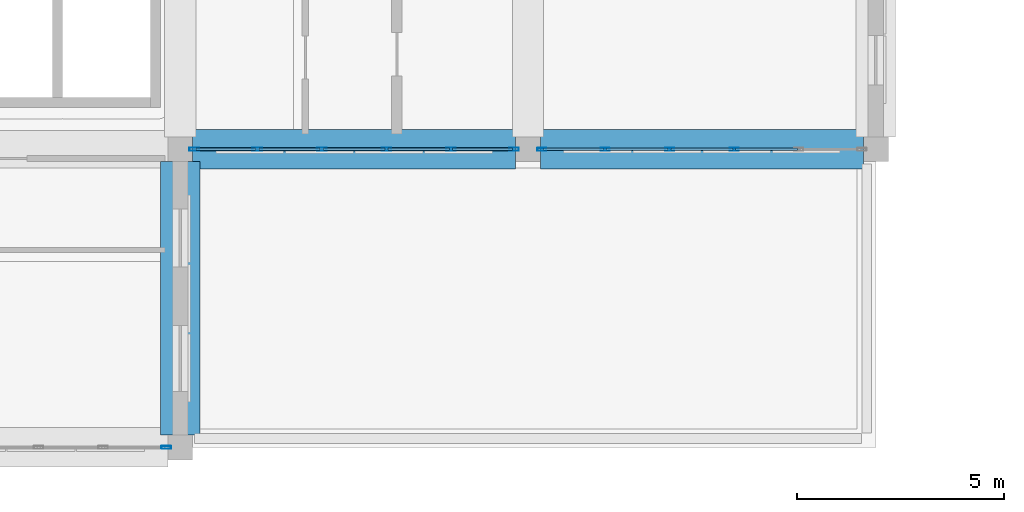
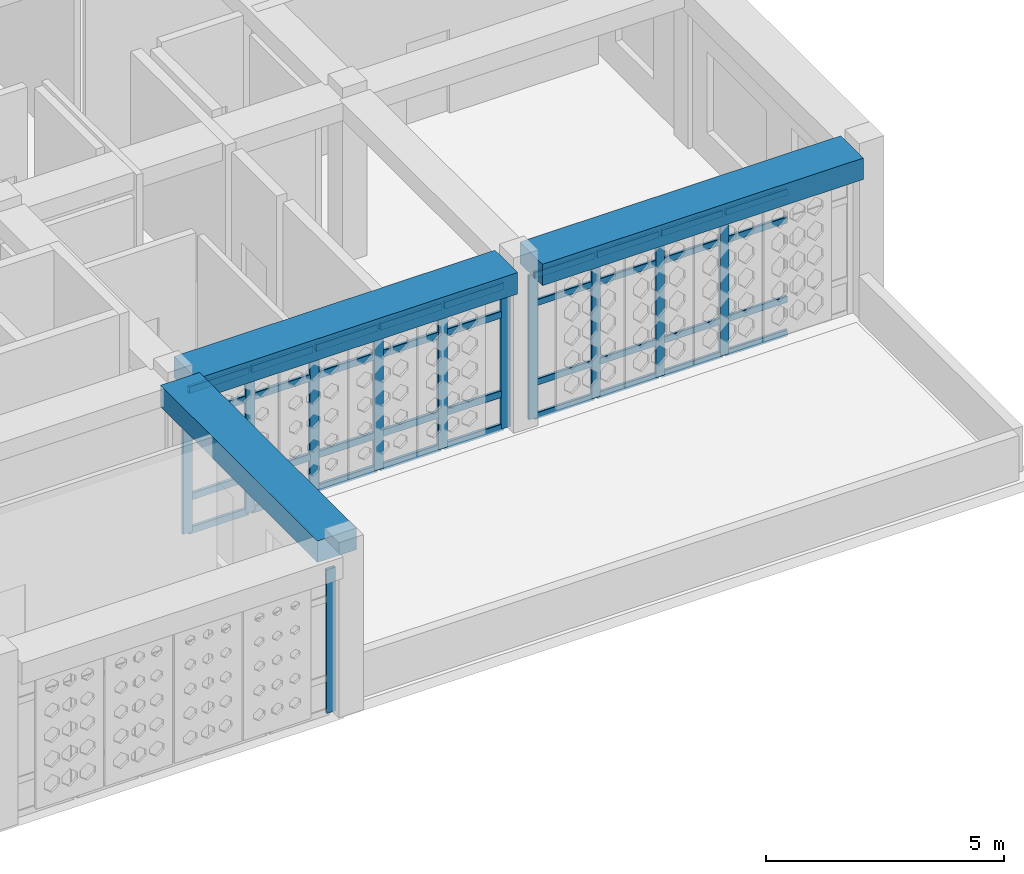
# One storey, part 6 of 28: 47 members, 3 beams, 3 elements without a shape of their own.
"""IFC4 building model written with IfcOpenShell, lengths in metres."""

from ifc_helpers import new_model, si_unit, derived_unit, direction, frame, origin, origin_2d, place, context, subcontext, project, spatial, rectangle, hollow_rectangle, extrude, material, material_profile, profile_set, type_object, element, aggregate, save


model = new_model("IFC4")

# Units and contexts
model_context = context("Model", 3, precision=1e-05, world=origin(), true_north=direction((0.0, 1.0)))
body_context = subcontext(model_context, "Body", "Model", "MODEL_VIEW")
ifc_project = project(units=[si_unit("LENGTHUNIT", "METRE"), si_unit("AREAUNIT", "SQUARE_METRE"), si_unit("VOLUMEUNIT", "CUBIC_METRE"), si_unit("PLANEANGLEUNIT", "RADIAN"), si_unit("MASSUNIT", "GRAM", prefix="KILO"), derived_unit("THERMALTRANSMITTANCEUNIT", [(si_unit("POWERUNIT", "WATT"), 1), (si_unit("LENGTHUNIT", "METRE"), -2), (si_unit("THERMODYNAMICTEMPERATUREUNIT", "KELVIN"), -1)])], contexts=[model_context])

# Site, building, storey
site_placement = place(None, origin())
site = spatial("IfcSite", under=ifc_project, at=site_placement, CompositionType="ELEMENT")
building_placement = place(site_placement, origin())
building = spatial("IfcBuilding", under=site, at=building_placement, Name="Veybourne Emporium", CompositionType="ELEMENT")
storey_placement = place(building_placement, frame((0.0, 0.0, 32.10009765625)))
storey = spatial("IfcBuildingStorey", under=building, at=storey_placement, Name="L07", CompositionType="ELEMENT", Elevation=32.10009765625)

# Curtain wall, member
ifc_material_1 = material(Name="Patinated Architectural Bronze", Category="bronze")
curtain_wall_type_1 = type_object("IfcCurtainWallType", Name="CWSystem_CWS-22", PredefinedType="NOTDEFINED", material=ifc_material_1)
curtain_wall_1_placement = place(storey_placement, origin())
curtain_wall_1 = element("IfcCurtainWall", 1, at=curtain_wall_1_placement, inside=storey, type_object=curtain_wall_type_1, Name="L07 bronze glazed curtain wall CWS-22 (011)", PredefinedType="NOTDEFINED")
ifc_material_profile_1 = material_profile(ifc_material_1, hollow_rectangle(XDim=0.074951171875, YDim=0.22998046875, WallThickness=0.0048828125, InnerFilletRadius=0.007568359375, OuterFilletRadius=0.012451171875, at=origin_2d()), Name="CWM 75x230x5")
ifc_profile_set_1 = profile_set([ifc_material_profile_1], Name="Patinated Architectural Bronze")
member_type_1 = type_object("IfcMemberType", Name="CWMullion_CW-M2", PredefinedType="MULLION", material=ifc_profile_set_1)
member_1_placement = place(storey_placement, frame((33.262451171875, 7.199951171875, 0.0), z_axis=(0.0, 0.0, 1.0), x_axis=(0.0, -1.0, 0.0)))
member_1 = element("IfcMember", 2, at=member_1_placement, type_object=member_type_1, Name="CWS-22 mullion 1", PredefinedType="MULLION", context=body_context, shape_type="SweptSolid", body=[
    extrude(hollow_rectangle(XDim=0.074951171875, YDim=0.22998046875, WallThickness=0.0048828125, InnerFilletRadius=0.007568359375, OuterFilletRadius=0.012451171875, at=origin_2d()), origin(), (0.0, 0.0, 1.0), 3.68994140625),
])
aggregate(curtain_wall_1, [member_1])

# Curtain wall, members
curtain_wall_type_2 = type_object("IfcCurtainWallType", Name="CWSystem_CWS-23", PredefinedType="NOTDEFINED", material=ifc_material_1)
curtain_wall_2_placement = place(storey_placement, origin())
curtain_wall_2 = element("IfcCurtainWall", 3, at=curtain_wall_2_placement, inside=storey, type_object=curtain_wall_type_2, Name="L07 bronze glazed curtain wall CWS-23 (014)", PredefinedType="NOTDEFINED")
ifc_material_profile_2 = material_profile(ifc_material_1, hollow_rectangle(XDim=0.077880859375, YDim=0.235107421875, WallThickness=0.0048828125, InnerFilletRadius=0.007568359375, OuterFilletRadius=0.012451171875, at=origin_2d()), Name="CWM 78x235x5")
ifc_profile_set_2 = profile_set([ifc_material_profile_2], Name="Patinated Architectural Bronze")
member_type_2 = type_object("IfcMemberType", Name="CWMullion_CW-M3", PredefinedType="MULLION", material=ifc_profile_set_2)
member_2_placement = place(storey_placement, frame((41.660888671875, 14.39990234375, 0.0), z_axis=(0.0, 0.0, 1.0), x_axis=(0.0, -1.0, 0.0)))
member_2 = element("IfcMember", 4, at=member_2_placement, type_object=member_type_2, Name="CWS-23 mullion 1", PredefinedType="MULLION", context=body_context, shape_type="SweptSolid", body=[
    extrude(hollow_rectangle(XDim=0.077880859375, YDim=0.235107421875, WallThickness=0.0048828125, InnerFilletRadius=0.007568359375, OuterFilletRadius=0.012451171875, at=origin_2d()), origin(), (0.0, 0.0, 1.0), 3.68994140625),
])
member_3_placement = place(storey_placement, frame((40.139892578125, 14.39990234375, 0.0), z_axis=(0.0, 0.0, 1.0), x_axis=(0.0, -1.0, 0.0)))
member_3 = element("IfcMember", 5, at=member_3_placement, type_object=member_type_2, Name="CWS-23 mullion 2", PredefinedType="MULLION", context=body_context, shape_type="SweptSolid", body=[
    extrude(hollow_rectangle(XDim=0.077880859375, YDim=0.235107421875, WallThickness=0.0048828125, InnerFilletRadius=0.007568359375, OuterFilletRadius=0.012451171875, at=origin_2d()), origin(), (0.0, 0.0, 1.0), 3.68994140625),
])
member_4_placement = place(storey_placement, frame((38.580078125, 14.39990234375, 0.0), z_axis=(0.0, 0.0, 1.0), x_axis=(0.0, -1.0, 0.0)))
member_4 = element("IfcMember", 6, at=member_4_placement, type_object=member_type_2, Name="CWS-23 mullion 3", PredefinedType="MULLION", context=body_context, shape_type="SweptSolid", body=[
    extrude(hollow_rectangle(XDim=0.077880859375, YDim=0.235107421875, WallThickness=0.0048828125, InnerFilletRadius=0.007568359375, OuterFilletRadius=0.012451171875, at=origin_2d()), origin(), (0.0, 0.0, 1.0), 3.68994140625),
])
member_5_placement = place(storey_placement, frame((37.02001953125, 14.39990234375, 0.0), z_axis=(0.0, 0.0, 1.0), x_axis=(0.0, -1.0, 0.0)))
member_5 = element("IfcMember", 7, at=member_5_placement, type_object=member_type_2, Name="CWS-23 mullion 4", PredefinedType="MULLION", context=body_context, shape_type="SweptSolid", body=[
    extrude(hollow_rectangle(XDim=0.077880859375, YDim=0.235107421875, WallThickness=0.0048828125, InnerFilletRadius=0.007568359375, OuterFilletRadius=0.012451171875, at=origin_2d()), origin(), (0.0, 0.0, 1.0), 3.68994140625),
])
member_6_placement = place(storey_placement, frame((35.4599609375, 14.39990234375, 0.0), z_axis=(0.0, 0.0, 1.0), x_axis=(0.0, -1.0, 0.0)))
member_6 = element("IfcMember", 8, at=member_6_placement, type_object=member_type_2, Name="CWS-23 mullion 5", PredefinedType="MULLION", context=body_context, shape_type="SweptSolid", body=[
    extrude(hollow_rectangle(XDim=0.077880859375, YDim=0.235107421875, WallThickness=0.0048828125, InnerFilletRadius=0.007568359375, OuterFilletRadius=0.012451171875, at=origin_2d()), origin(), (0.0, 0.0, 1.0), 3.68994140625),
])
member_7_placement = place(storey_placement, frame((33.93896484375, 14.39990234375, 0.0), z_axis=(0.0, 0.0, 1.0), x_axis=(0.0, -1.0, 0.0)))
member_7 = element("IfcMember", 9, at=member_7_placement, type_object=member_type_2, Name="CWS-23 mullion 6", PredefinedType="MULLION", context=body_context, shape_type="SweptSolid", body=[
    extrude(hollow_rectangle(XDim=0.077880859375, YDim=0.235107421875, WallThickness=0.0048828125, InnerFilletRadius=0.007568359375, OuterFilletRadius=0.012451171875, at=origin_2d()), origin(), (0.0, 0.0, 1.0), 3.68994140625),
])

curtain_wall_type_3 = type_object("IfcCurtainWallType", Name="CWSystem_CWS-24", PredefinedType="NOTDEFINED", material=ifc_material_1)
curtain_wall_3_placement = place(storey_placement, origin())
curtain_wall_3 = element("IfcCurtainWall", 10, at=curtain_wall_3_placement, inside=storey, type_object=curtain_wall_type_3, Name="L07 bronze glazed curtain wall CWS-24 (016)", PredefinedType="NOTDEFINED")
ifc_material_profile_3 = material_profile(ifc_material_1, hollow_rectangle(XDim=0.070068359375, YDim=0.219970703125, WallThickness=0.0048828125, InnerFilletRadius=0.007568359375, OuterFilletRadius=0.012451171875, at=origin_2d()), Name="CWM 70x220x5")
ifc_profile_set_3 = profile_set([ifc_material_profile_3], Name="Patinated Architectural Bronze")
member_type_3 = type_object("IfcMemberType", Name="CWMullion_CW-M4", PredefinedType="MULLION", material=ifc_profile_set_3)
member_8_placement = place(storey_placement, frame((46.97998046875, 14.39990234375, 0.0), z_axis=(0.0, 0.0, 1.0), x_axis=(0.0, -1.0, 0.0)))
member_8 = element("IfcMember", 11, at=member_8_placement, type_object=member_type_3, Name="CWS-24 mullion 3", PredefinedType="MULLION", context=body_context, shape_type="SweptSolid", body=[
    extrude(hollow_rectangle(XDim=0.070068359375, YDim=0.219970703125, WallThickness=0.0048828125, InnerFilletRadius=0.007568359375, OuterFilletRadius=0.012451171875, at=origin_2d()), origin(), (0.0, 0.0, 1.0), 3.68994140625),
])
member_9_placement = place(storey_placement, frame((45.419921875, 14.39990234375, 0.0), z_axis=(0.0, 0.0, 1.0), x_axis=(0.0, -1.0, 0.0)))
member_9 = element("IfcMember", 12, at=member_9_placement, type_object=member_type_3, Name="CWS-24 mullion 4", PredefinedType="MULLION", context=body_context, shape_type="SweptSolid", body=[
    extrude(hollow_rectangle(XDim=0.070068359375, YDim=0.219970703125, WallThickness=0.0048828125, InnerFilletRadius=0.007568359375, OuterFilletRadius=0.012451171875, at=origin_2d()), origin(), (0.0, 0.0, 1.0), 3.68994140625),
])
member_10_placement = place(storey_placement, frame((43.860107421875, 14.39990234375, 0.0), z_axis=(0.0, 0.0, 1.0), x_axis=(0.0, -1.0, 0.0)))
member_10 = element("IfcMember", 13, at=member_10_placement, type_object=member_type_3, Name="CWS-24 mullion 5", PredefinedType="MULLION", context=body_context, shape_type="SweptSolid", body=[
    extrude(hollow_rectangle(XDim=0.070068359375, YDim=0.219970703125, WallThickness=0.0048828125, InnerFilletRadius=0.007568359375, OuterFilletRadius=0.012451171875, at=origin_2d()), origin(), (0.0, 0.0, 1.0), 3.68994140625),
])
member_11_placement = place(storey_placement, frame((42.3349609375, 14.39990234375, 0.0), z_axis=(0.0, 0.0, 1.0), x_axis=(0.0, -1.0, 0.0)))
member_11 = element("IfcMember", 14, at=member_11_placement, type_object=member_type_3, Name="CWS-24 mullion 6", PredefinedType="MULLION", context=body_context, shape_type="SweptSolid", body=[
    extrude(hollow_rectangle(XDim=0.070068359375, YDim=0.219970703125, WallThickness=0.0048828125, InnerFilletRadius=0.007568359375, OuterFilletRadius=0.012451171875, at=origin_2d()), origin(), (0.0, 0.0, 1.0), 3.68994140625),
])

# Member
ifc_material_profile_4 = material_profile(ifc_material_1, hollow_rectangle(XDim=0.077880859375, YDim=0.18505859375, WallThickness=0.0048828125, InnerFilletRadius=0.007568359375, OuterFilletRadius=0.012451171875, at=origin_2d()), Name="CWT 78x185x5")
ifc_profile_set_4 = profile_set([ifc_material_profile_4], Name="Patinated Architectural Bronze")
member_type_4 = type_object("IfcMemberType", Name="CWTransom_CW-T3", PredefinedType="NOTDEFINED", material=ifc_profile_set_4)
member_12_placement = place(storey_placement, frame((41.6220703125, 14.39990234375, 0.038818359375), z_axis=(-1.0, 0.0, 0.0), x_axis=(0.0, -1.0, 0.0)))
member_12 = element("IfcMember", 15, at=member_12_placement, type_object=member_type_4, Name="CWS-23 transom 1.1", ObjectType="TRANSOM", PredefinedType="USERDEFINED", context=body_context, shape_type="SweptSolid", body=[
    extrude(hollow_rectangle(XDim=0.077880859375, YDim=0.18505859375, WallThickness=0.0048828125, InnerFilletRadius=0.007568359375, OuterFilletRadius=0.012451171875, at=origin_2d()), origin(), (0.0, 0.0, 1.0), 1.443115234375),
])

member_13_placement = place(storey_placement, frame((41.6220703125, 14.39990234375, 0.89990234375), z_axis=(-1.0, 0.0, 0.0), x_axis=(0.0, -1.0, 0.0)))
member_13 = element("IfcMember", 16, at=member_13_placement, type_object=member_type_4, Name="CWS-23 transom 1.2", ObjectType="TRANSOM", PredefinedType="USERDEFINED", context=body_context, shape_type="SweptSolid", body=[
    extrude(hollow_rectangle(XDim=0.077880859375, YDim=0.18505859375, WallThickness=0.0048828125, InnerFilletRadius=0.007568359375, OuterFilletRadius=0.012451171875, at=origin_2d()), origin(), (0.0, 0.0, 1.0), 1.443115234375),
])

member_14_placement = place(storey_placement, frame((41.6220703125, 14.39990234375, 2.93994140625), z_axis=(-1.0, 0.0, 0.0), x_axis=(0.0, -1.0, 0.0)))
member_14 = element("IfcMember", 17, at=member_14_placement, type_object=member_type_4, Name="CWS-23 transom 1.3", ObjectType="TRANSOM", PredefinedType="USERDEFINED", context=body_context, shape_type="SweptSolid", body=[
    extrude(hollow_rectangle(XDim=0.077880859375, YDim=0.18505859375, WallThickness=0.0048828125, InnerFilletRadius=0.007568359375, OuterFilletRadius=0.012451171875, at=origin_2d()), origin(), (0.0, 0.0, 1.0), 1.443115234375),
])

member_15_placement = place(storey_placement, frame((41.6220703125, 14.39990234375, 3.65087890625), z_axis=(-1.0, 0.0, 0.0), x_axis=(0.0, -1.0, 0.0)))
member_15 = element("IfcMember", 18, at=member_15_placement, type_object=member_type_4, Name="CWS-23 transom 1.4", ObjectType="TRANSOM", PredefinedType="USERDEFINED", context=body_context, shape_type="SweptSolid", body=[
    extrude(hollow_rectangle(XDim=0.077880859375, YDim=0.18505859375, WallThickness=0.0048828125, InnerFilletRadius=0.007568359375, OuterFilletRadius=0.012451171875, at=origin_2d()), origin(), (0.0, 0.0, 1.0), 1.443115234375),
])

member_16_placement = place(storey_placement, frame((40.10107421875, 14.39990234375, 0.038818359375), z_axis=(-1.0, 0.0, 0.0), x_axis=(0.0, -1.0, 0.0)))
member_16 = element("IfcMember", 19, at=member_16_placement, type_object=member_type_4, Name="CWS-23 transom 2.1", ObjectType="TRANSOM", PredefinedType="USERDEFINED", context=body_context, shape_type="SweptSolid", body=[
    extrude(hollow_rectangle(XDim=0.077880859375, YDim=0.18505859375, WallThickness=0.0048828125, InnerFilletRadius=0.007568359375, OuterFilletRadius=0.012451171875, at=origin_2d()), origin(), (0.0, 0.0, 1.0), 1.482177734375),
])

member_17_placement = place(storey_placement, frame((40.10107421875, 14.39990234375, 0.89990234375), z_axis=(-1.0, 0.0, 0.0), x_axis=(0.0, -1.0, 0.0)))
member_17 = element("IfcMember", 20, at=member_17_placement, type_object=member_type_4, Name="CWS-23 transom 2.2", ObjectType="TRANSOM", PredefinedType="USERDEFINED", context=body_context, shape_type="SweptSolid", body=[
    extrude(hollow_rectangle(XDim=0.077880859375, YDim=0.18505859375, WallThickness=0.0048828125, InnerFilletRadius=0.007568359375, OuterFilletRadius=0.012451171875, at=origin_2d()), origin(), (0.0, 0.0, 1.0), 1.482177734375),
])

member_18_placement = place(storey_placement, frame((40.10107421875, 14.39990234375, 2.93994140625), z_axis=(-1.0, 0.0, 0.0), x_axis=(0.0, -1.0, 0.0)))
member_18 = element("IfcMember", 21, at=member_18_placement, type_object=member_type_4, Name="CWS-23 transom 2.3", ObjectType="TRANSOM", PredefinedType="USERDEFINED", context=body_context, shape_type="SweptSolid", body=[
    extrude(hollow_rectangle(XDim=0.077880859375, YDim=0.18505859375, WallThickness=0.0048828125, InnerFilletRadius=0.007568359375, OuterFilletRadius=0.012451171875, at=origin_2d()), origin(), (0.0, 0.0, 1.0), 1.482177734375),
])

member_19_placement = place(storey_placement, frame((40.10107421875, 14.39990234375, 3.65087890625), z_axis=(-1.0, 0.0, 0.0), x_axis=(0.0, -1.0, 0.0)))
member_19 = element("IfcMember", 22, at=member_19_placement, type_object=member_type_4, Name="CWS-23 transom 2.4", ObjectType="TRANSOM", PredefinedType="USERDEFINED", context=body_context, shape_type="SweptSolid", body=[
    extrude(hollow_rectangle(XDim=0.077880859375, YDim=0.18505859375, WallThickness=0.0048828125, InnerFilletRadius=0.007568359375, OuterFilletRadius=0.012451171875, at=origin_2d()), origin(), (0.0, 0.0, 1.0), 1.482177734375),
])

member_20_placement = place(storey_placement, frame((38.541015625, 14.39990234375, 0.038818359375), z_axis=(-1.0, 0.0, 0.0), x_axis=(0.0, -1.0, 0.0)))
member_20 = element("IfcMember", 23, at=member_20_placement, type_object=member_type_4, Name="CWS-23 transom 3.1", ObjectType="TRANSOM", PredefinedType="USERDEFINED", context=body_context, shape_type="SweptSolid", body=[
    extrude(hollow_rectangle(XDim=0.077880859375, YDim=0.18505859375, WallThickness=0.0048828125, InnerFilletRadius=0.007568359375, OuterFilletRadius=0.012451171875, at=origin_2d()), origin(), (0.0, 0.0, 1.0), 1.48193359375),
])

member_21_placement = place(storey_placement, frame((38.541015625, 14.39990234375, 0.89990234375), z_axis=(-1.0, 0.0, 0.0), x_axis=(0.0, -1.0, 0.0)))
member_21 = element("IfcMember", 24, at=member_21_placement, type_object=member_type_4, Name="CWS-23 transom 3.2", ObjectType="TRANSOM", PredefinedType="USERDEFINED", context=body_context, shape_type="SweptSolid", body=[
    extrude(hollow_rectangle(XDim=0.077880859375, YDim=0.18505859375, WallThickness=0.0048828125, InnerFilletRadius=0.007568359375, OuterFilletRadius=0.012451171875, at=origin_2d()), origin(), (0.0, 0.0, 1.0), 1.48193359375),
])

member_22_placement = place(storey_placement, frame((38.541015625, 14.39990234375, 2.93994140625), z_axis=(-1.0, 0.0, 0.0), x_axis=(0.0, -1.0, 0.0)))
member_22 = element("IfcMember", 25, at=member_22_placement, type_object=member_type_4, Name="CWS-23 transom 3.3", ObjectType="TRANSOM", PredefinedType="USERDEFINED", context=body_context, shape_type="SweptSolid", body=[
    extrude(hollow_rectangle(XDim=0.077880859375, YDim=0.18505859375, WallThickness=0.0048828125, InnerFilletRadius=0.007568359375, OuterFilletRadius=0.012451171875, at=origin_2d()), origin(), (0.0, 0.0, 1.0), 1.48193359375),
])

member_23_placement = place(storey_placement, frame((38.541015625, 14.39990234375, 3.65087890625), z_axis=(-1.0, 0.0, 0.0), x_axis=(0.0, -1.0, 0.0)))
member_23 = element("IfcMember", 26, at=member_23_placement, type_object=member_type_4, Name="CWS-23 transom 3.4", ObjectType="TRANSOM", PredefinedType="USERDEFINED", context=body_context, shape_type="SweptSolid", body=[
    extrude(hollow_rectangle(XDim=0.077880859375, YDim=0.18505859375, WallThickness=0.0048828125, InnerFilletRadius=0.007568359375, OuterFilletRadius=0.012451171875, at=origin_2d()), origin(), (0.0, 0.0, 1.0), 1.48193359375),
])

member_24_placement = place(storey_placement, frame((36.98095703125, 14.39990234375, 0.038818359375), z_axis=(-1.0, 0.0, 0.0), x_axis=(0.0, -1.0, 0.0)))
member_24 = element("IfcMember", 27, at=member_24_placement, type_object=member_type_4, Name="CWS-23 transom 4.1", ObjectType="TRANSOM", PredefinedType="USERDEFINED", context=body_context, shape_type="SweptSolid", body=[
    extrude(hollow_rectangle(XDim=0.077880859375, YDim=0.18505859375, WallThickness=0.0048828125, InnerFilletRadius=0.007568359375, OuterFilletRadius=0.012451171875, at=origin_2d()), origin(), (0.0, 0.0, 1.0), 1.48193359375),
])

member_25_placement = place(storey_placement, frame((36.98095703125, 14.39990234375, 0.89990234375), z_axis=(-1.0, 0.0, 0.0), x_axis=(0.0, -1.0, 0.0)))
member_25 = element("IfcMember", 28, at=member_25_placement, type_object=member_type_4, Name="CWS-23 transom 4.2", ObjectType="TRANSOM", PredefinedType="USERDEFINED", context=body_context, shape_type="SweptSolid", body=[
    extrude(hollow_rectangle(XDim=0.077880859375, YDim=0.18505859375, WallThickness=0.0048828125, InnerFilletRadius=0.007568359375, OuterFilletRadius=0.012451171875, at=origin_2d()), origin(), (0.0, 0.0, 1.0), 1.48193359375),
])

member_26_placement = place(storey_placement, frame((36.98095703125, 14.39990234375, 2.93994140625), z_axis=(-1.0, 0.0, 0.0), x_axis=(0.0, -1.0, 0.0)))
member_26 = element("IfcMember", 29, at=member_26_placement, type_object=member_type_4, Name="CWS-23 transom 4.3", ObjectType="TRANSOM", PredefinedType="USERDEFINED", context=body_context, shape_type="SweptSolid", body=[
    extrude(hollow_rectangle(XDim=0.077880859375, YDim=0.18505859375, WallThickness=0.0048828125, InnerFilletRadius=0.007568359375, OuterFilletRadius=0.012451171875, at=origin_2d()), origin(), (0.0, 0.0, 1.0), 1.48193359375),
])

member_27_placement = place(storey_placement, frame((36.98095703125, 14.39990234375, 3.65087890625), z_axis=(-1.0, 0.0, 0.0), x_axis=(0.0, -1.0, 0.0)))
member_27 = element("IfcMember", 30, at=member_27_placement, type_object=member_type_4, Name="CWS-23 transom 4.4", ObjectType="TRANSOM", PredefinedType="USERDEFINED", context=body_context, shape_type="SweptSolid", body=[
    extrude(hollow_rectangle(XDim=0.077880859375, YDim=0.18505859375, WallThickness=0.0048828125, InnerFilletRadius=0.007568359375, OuterFilletRadius=0.012451171875, at=origin_2d()), origin(), (0.0, 0.0, 1.0), 1.48193359375),
])

member_28_placement = place(storey_placement, frame((35.4208984375, 14.39990234375, 0.038818359375), z_axis=(-1.0, 0.0, 0.0), x_axis=(0.0, -1.0, 0.0)))
member_28 = element("IfcMember", 31, at=member_28_placement, type_object=member_type_4, Name="CWS-23 transom 5.1", ObjectType="TRANSOM", PredefinedType="USERDEFINED", context=body_context, shape_type="SweptSolid", body=[
    extrude(hollow_rectangle(XDim=0.077880859375, YDim=0.18505859375, WallThickness=0.0048828125, InnerFilletRadius=0.007568359375, OuterFilletRadius=0.012451171875, at=origin_2d()), origin(), (0.0, 0.0, 1.0), 1.44287109375),
])

member_29_placement = place(storey_placement, frame((35.4208984375, 14.39990234375, 0.89990234375), z_axis=(-1.0, 0.0, 0.0), x_axis=(0.0, -1.0, 0.0)))
member_29 = element("IfcMember", 32, at=member_29_placement, type_object=member_type_4, Name="CWS-23 transom 5.2", ObjectType="TRANSOM", PredefinedType="USERDEFINED", context=body_context, shape_type="SweptSolid", body=[
    extrude(hollow_rectangle(XDim=0.077880859375, YDim=0.18505859375, WallThickness=0.0048828125, InnerFilletRadius=0.007568359375, OuterFilletRadius=0.012451171875, at=origin_2d()), origin(), (0.0, 0.0, 1.0), 1.44287109375),
])

member_30_placement = place(storey_placement, frame((35.4208984375, 14.39990234375, 2.93994140625), z_axis=(-1.0, 0.0, 0.0), x_axis=(0.0, -1.0, 0.0)))
member_30 = element("IfcMember", 33, at=member_30_placement, type_object=member_type_4, Name="CWS-23 transom 5.3", ObjectType="TRANSOM", PredefinedType="USERDEFINED", context=body_context, shape_type="SweptSolid", body=[
    extrude(hollow_rectangle(XDim=0.077880859375, YDim=0.18505859375, WallThickness=0.0048828125, InnerFilletRadius=0.007568359375, OuterFilletRadius=0.012451171875, at=origin_2d()), origin(), (0.0, 0.0, 1.0), 1.44287109375),
])

member_31_placement = place(storey_placement, frame((35.4208984375, 14.39990234375, 3.65087890625), z_axis=(-1.0, 0.0, 0.0), x_axis=(0.0, -1.0, 0.0)))
member_31 = element("IfcMember", 34, at=member_31_placement, type_object=member_type_4, Name="CWS-23 transom 5.4", ObjectType="TRANSOM", PredefinedType="USERDEFINED", context=body_context, shape_type="SweptSolid", body=[
    extrude(hollow_rectangle(XDim=0.077880859375, YDim=0.18505859375, WallThickness=0.0048828125, InnerFilletRadius=0.007568359375, OuterFilletRadius=0.012451171875, at=origin_2d()), origin(), (0.0, 0.0, 1.0), 1.44287109375),
])

aggregate(curtain_wall_2, [member_2, member_3, member_4, member_5, member_6, member_7, member_12, member_13, member_14, member_15, member_16, member_17, member_18, member_19, member_20, member_21, member_22, member_23, member_24, member_25, member_26, member_27, member_28, member_29, member_30, member_31])

ifc_material_profile_5 = material_profile(ifc_material_1, hollow_rectangle(XDim=0.070068359375, YDim=0.169921875, WallThickness=0.0048828125, InnerFilletRadius=0.007568359375, OuterFilletRadius=0.012451171875, at=origin_2d()), Name="CWT 70x170x5")
ifc_profile_set_5 = profile_set([ifc_material_profile_5], Name="Patinated Architectural Bronze")
member_type_5 = type_object("IfcMemberType", Name="CWTransom_CW-T4", PredefinedType="NOTDEFINED", material=ifc_profile_set_5)
member_32_placement = place(storey_placement, frame((48.5048828125, 14.39990234375, 0.034912109375), z_axis=(-1.0, 0.0, 0.0), x_axis=(0.0, -1.0, 0.0)))
member_32 = element("IfcMember", 35, at=member_32_placement, type_object=member_type_5, Name="CWS-24 transom 2.1", ObjectType="TRANSOM", PredefinedType="USERDEFINED", context=body_context, shape_type="SweptSolid", body=[
    extrude(hollow_rectangle(XDim=0.070068359375, YDim=0.169921875, WallThickness=0.0048828125, InnerFilletRadius=0.007568359375, OuterFilletRadius=0.012451171875, at=origin_2d()), origin(), (0.0, 0.0, 1.0), 1.489990234375),
])

member_33_placement = place(storey_placement, frame((48.5048828125, 14.39990234375, 0.89990234375), z_axis=(-1.0, 0.0, 0.0), x_axis=(0.0, -1.0, 0.0)))
member_33 = element("IfcMember", 36, at=member_33_placement, type_object=member_type_5, Name="CWS-24 transom 2.2", ObjectType="TRANSOM", PredefinedType="USERDEFINED", context=body_context, shape_type="SweptSolid", body=[
    extrude(hollow_rectangle(XDim=0.070068359375, YDim=0.169921875, WallThickness=0.0048828125, InnerFilletRadius=0.007568359375, OuterFilletRadius=0.012451171875, at=origin_2d()), origin(), (0.0, 0.0, 1.0), 1.489990234375),
])

member_34_placement = place(storey_placement, frame((48.5048828125, 14.39990234375, 2.93994140625), z_axis=(-1.0, 0.0, 0.0), x_axis=(0.0, -1.0, 0.0)))
member_34 = element("IfcMember", 37, at=member_34_placement, type_object=member_type_5, Name="CWS-24 transom 2.3", ObjectType="TRANSOM", PredefinedType="USERDEFINED", context=body_context, shape_type="SweptSolid", body=[
    extrude(hollow_rectangle(XDim=0.070068359375, YDim=0.169921875, WallThickness=0.0048828125, InnerFilletRadius=0.007568359375, OuterFilletRadius=0.012451171875, at=origin_2d()), origin(), (0.0, 0.0, 1.0), 1.489990234375),
])

member_35_placement = place(storey_placement, frame((48.5048828125, 14.39990234375, 3.65478515625), z_axis=(-1.0, 0.0, 0.0), x_axis=(0.0, -1.0, 0.0)))
member_35 = element("IfcMember", 38, at=member_35_placement, type_object=member_type_5, Name="CWS-24 transom 2.4", ObjectType="TRANSOM", PredefinedType="USERDEFINED", context=body_context, shape_type="SweptSolid", body=[
    extrude(hollow_rectangle(XDim=0.070068359375, YDim=0.169921875, WallThickness=0.0048828125, InnerFilletRadius=0.007568359375, OuterFilletRadius=0.012451171875, at=origin_2d()), origin(), (0.0, 0.0, 1.0), 1.489990234375),
])

member_36_placement = place(storey_placement, frame((46.945068359375, 14.39990234375, 0.034912109375), z_axis=(-1.0, 0.0, 0.0), x_axis=(0.0, -1.0, 0.0)))
member_36 = element("IfcMember", 39, at=member_36_placement, type_object=member_type_5, Name="CWS-24 transom 3.1", ObjectType="TRANSOM", PredefinedType="USERDEFINED", context=body_context, shape_type="SweptSolid", body=[
    extrude(hollow_rectangle(XDim=0.070068359375, YDim=0.169921875, WallThickness=0.0048828125, InnerFilletRadius=0.007568359375, OuterFilletRadius=0.012451171875, at=origin_2d()), origin(), (0.0, 0.0, 1.0), 1.489990234375),
])

member_37_placement = place(storey_placement, frame((46.945068359375, 14.39990234375, 0.89990234375), z_axis=(-1.0, 0.0, 0.0), x_axis=(0.0, -1.0, 0.0)))
member_37 = element("IfcMember", 40, at=member_37_placement, type_object=member_type_5, Name="CWS-24 transom 3.2", ObjectType="TRANSOM", PredefinedType="USERDEFINED", context=body_context, shape_type="SweptSolid", body=[
    extrude(hollow_rectangle(XDim=0.070068359375, YDim=0.169921875, WallThickness=0.0048828125, InnerFilletRadius=0.007568359375, OuterFilletRadius=0.012451171875, at=origin_2d()), origin(), (0.0, 0.0, 1.0), 1.489990234375),
])

member_38_placement = place(storey_placement, frame((46.945068359375, 14.39990234375, 2.93994140625), z_axis=(-1.0, 0.0, 0.0), x_axis=(0.0, -1.0, 0.0)))
member_38 = element("IfcMember", 41, at=member_38_placement, type_object=member_type_5, Name="CWS-24 transom 3.3", ObjectType="TRANSOM", PredefinedType="USERDEFINED", context=body_context, shape_type="SweptSolid", body=[
    extrude(hollow_rectangle(XDim=0.070068359375, YDim=0.169921875, WallThickness=0.0048828125, InnerFilletRadius=0.007568359375, OuterFilletRadius=0.012451171875, at=origin_2d()), origin(), (0.0, 0.0, 1.0), 1.489990234375),
])

member_39_placement = place(storey_placement, frame((46.945068359375, 14.39990234375, 3.65478515625), z_axis=(-1.0, 0.0, 0.0), x_axis=(0.0, -1.0, 0.0)))
member_39 = element("IfcMember", 42, at=member_39_placement, type_object=member_type_5, Name="CWS-24 transom 3.4", ObjectType="TRANSOM", PredefinedType="USERDEFINED", context=body_context, shape_type="SweptSolid", body=[
    extrude(hollow_rectangle(XDim=0.070068359375, YDim=0.169921875, WallThickness=0.0048828125, InnerFilletRadius=0.007568359375, OuterFilletRadius=0.012451171875, at=origin_2d()), origin(), (0.0, 0.0, 1.0), 1.489990234375),
])

member_40_placement = place(storey_placement, frame((45.385009765625, 14.39990234375, 0.034912109375), z_axis=(-1.0, 0.0, 0.0), x_axis=(0.0, -1.0, 0.0)))
member_40 = element("IfcMember", 43, at=member_40_placement, type_object=member_type_5, Name="CWS-24 transom 4.1", ObjectType="TRANSOM", PredefinedType="USERDEFINED", context=body_context, shape_type="SweptSolid", body=[
    extrude(hollow_rectangle(XDim=0.070068359375, YDim=0.169921875, WallThickness=0.0048828125, InnerFilletRadius=0.007568359375, OuterFilletRadius=0.012451171875, at=origin_2d()), origin(), (0.0, 0.0, 1.0), 1.489990234375),
])

member_41_placement = place(storey_placement, frame((45.385009765625, 14.39990234375, 0.89990234375), z_axis=(-1.0, 0.0, 0.0), x_axis=(0.0, -1.0, 0.0)))
member_41 = element("IfcMember", 44, at=member_41_placement, type_object=member_type_5, Name="CWS-24 transom 4.2", ObjectType="TRANSOM", PredefinedType="USERDEFINED", context=body_context, shape_type="SweptSolid", body=[
    extrude(hollow_rectangle(XDim=0.070068359375, YDim=0.169921875, WallThickness=0.0048828125, InnerFilletRadius=0.007568359375, OuterFilletRadius=0.012451171875, at=origin_2d()), origin(), (0.0, 0.0, 1.0), 1.489990234375),
])

member_42_placement = place(storey_placement, frame((45.385009765625, 14.39990234375, 2.93994140625), z_axis=(-1.0, 0.0, 0.0), x_axis=(0.0, -1.0, 0.0)))
member_42 = element("IfcMember", 45, at=member_42_placement, type_object=member_type_5, Name="CWS-24 transom 4.3", ObjectType="TRANSOM", PredefinedType="USERDEFINED", context=body_context, shape_type="SweptSolid", body=[
    extrude(hollow_rectangle(XDim=0.070068359375, YDim=0.169921875, WallThickness=0.0048828125, InnerFilletRadius=0.007568359375, OuterFilletRadius=0.012451171875, at=origin_2d()), origin(), (0.0, 0.0, 1.0), 1.489990234375),
])

member_43_placement = place(storey_placement, frame((45.385009765625, 14.39990234375, 3.65478515625), z_axis=(-1.0, 0.0, 0.0), x_axis=(0.0, -1.0, 0.0)))
member_43 = element("IfcMember", 46, at=member_43_placement, type_object=member_type_5, Name="CWS-24 transom 4.4", ObjectType="TRANSOM", PredefinedType="USERDEFINED", context=body_context, shape_type="SweptSolid", body=[
    extrude(hollow_rectangle(XDim=0.070068359375, YDim=0.169921875, WallThickness=0.0048828125, InnerFilletRadius=0.007568359375, OuterFilletRadius=0.012451171875, at=origin_2d()), origin(), (0.0, 0.0, 1.0), 1.489990234375),
])

member_44_placement = place(storey_placement, frame((43.824951171875, 14.39990234375, 0.034912109375), z_axis=(-1.0, 0.0, 0.0), x_axis=(0.0, -1.0, 0.0)))
member_44 = element("IfcMember", 47, at=member_44_placement, type_object=member_type_5, Name="CWS-24 transom 5.1", ObjectType="TRANSOM", PredefinedType="USERDEFINED", context=body_context, shape_type="SweptSolid", body=[
    extrude(hollow_rectangle(XDim=0.070068359375, YDim=0.169921875, WallThickness=0.0048828125, InnerFilletRadius=0.007568359375, OuterFilletRadius=0.012451171875, at=origin_2d()), origin(), (0.0, 0.0, 1.0), 1.454833984375),
])

member_45_placement = place(storey_placement, frame((43.824951171875, 14.39990234375, 0.89990234375), z_axis=(-1.0, 0.0, 0.0), x_axis=(0.0, -1.0, 0.0)))
member_45 = element("IfcMember", 48, at=member_45_placement, type_object=member_type_5, Name="CWS-24 transom 5.2", ObjectType="TRANSOM", PredefinedType="USERDEFINED", context=body_context, shape_type="SweptSolid", body=[
    extrude(hollow_rectangle(XDim=0.070068359375, YDim=0.169921875, WallThickness=0.0048828125, InnerFilletRadius=0.007568359375, OuterFilletRadius=0.012451171875, at=origin_2d()), origin(), (0.0, 0.0, 1.0), 1.454833984375),
])

member_46_placement = place(storey_placement, frame((43.824951171875, 14.39990234375, 2.93994140625), z_axis=(-1.0, 0.0, 0.0), x_axis=(0.0, -1.0, 0.0)))
member_46 = element("IfcMember", 49, at=member_46_placement, type_object=member_type_5, Name="CWS-24 transom 5.3", ObjectType="TRANSOM", PredefinedType="USERDEFINED", context=body_context, shape_type="SweptSolid", body=[
    extrude(hollow_rectangle(XDim=0.070068359375, YDim=0.169921875, WallThickness=0.0048828125, InnerFilletRadius=0.007568359375, OuterFilletRadius=0.012451171875, at=origin_2d()), origin(), (0.0, 0.0, 1.0), 1.454833984375),
])

member_47_placement = place(storey_placement, frame((43.824951171875, 14.39990234375, 3.65478515625), z_axis=(-1.0, 0.0, 0.0), x_axis=(0.0, -1.0, 0.0)))
member_47 = element("IfcMember", 50, at=member_47_placement, type_object=member_type_5, Name="CWS-24 transom 5.4", ObjectType="TRANSOM", PredefinedType="USERDEFINED", context=body_context, shape_type="SweptSolid", body=[
    extrude(hollow_rectangle(XDim=0.070068359375, YDim=0.169921875, WallThickness=0.0048828125, InnerFilletRadius=0.007568359375, OuterFilletRadius=0.012451171875, at=origin_2d()), origin(), (0.0, 0.0, 1.0), 1.454833984375),
])

aggregate(curtain_wall_3, [member_8, member_9, member_10, member_11, member_32, member_33, member_34, member_35, member_36, member_37, member_38, member_39, member_40, member_41, member_42, member_43, member_44, member_45, member_46, member_47])

# Beams
ifc_material_2 = material(Name="Concrete C32/40", Category="concrete")
ifc_material_profile_6 = material_profile(ifc_material_2, rectangle(XDim=0.949951171875, YDim=0.550048828125, at=origin_2d()), Name="RC 950x550")
ifc_profile_set_6 = profile_set([ifc_material_profile_6], Name="Concrete C32/40")
beam_type = type_object("IfcBeamType", Name="RCBeam_EB-01", PredefinedType="SPANDREL", material=ifc_profile_set_6)
for number, where, z_axis, x_axis, name in (
    (51, (33.89990234375, 14.39990234375, 3.96484375), (1.0, 0.0, 0.0), (0.0, 1.0, 0.0), "L07 X-grid beam EB-01 (4,2)"),
    (52, (42.300048828125, 14.39990234375, 3.96484375), (1.0, 0.0, 0.0), (0.0, 1.0, 0.0), "L07 X-grid beam EB-01 (5,2)"),
):
    element("IfcBeam", number, at=place(storey_placement, frame(where, z_axis=z_axis, x_axis=x_axis)), inside=storey, type_object=beam_type, Name=name, PredefinedType="SPANDREL", context=body_context, shape_type="SweptSolid", body=[
        extrude(rectangle(XDim=0.949951171875, YDim=0.550048828125, at=origin_2d()), origin(), (0.0, 0.0, 1.0), 7.800048828125),
    ])
beam_placement = place(storey_placement, frame((33.60009765625, 7.5, 3.96484375), z_axis=(0.0, 1.0, 0.0), x_axis=(-1.0, 0.0, 0.0)))
element("IfcBeam", 53, at=beam_placement, inside=storey, type_object=beam_type, Name="L07 Y-grid beam EB-01 (4,1)", PredefinedType="SPANDREL", context=body_context, shape_type="SweptSolid", body=[
    extrude(rectangle(XDim=0.949951171875, YDim=0.550048828125, at=origin_2d()), origin(), (0.0, 0.0, 1.0), 6.60009765625),
])

save(model, "model.ifc")
